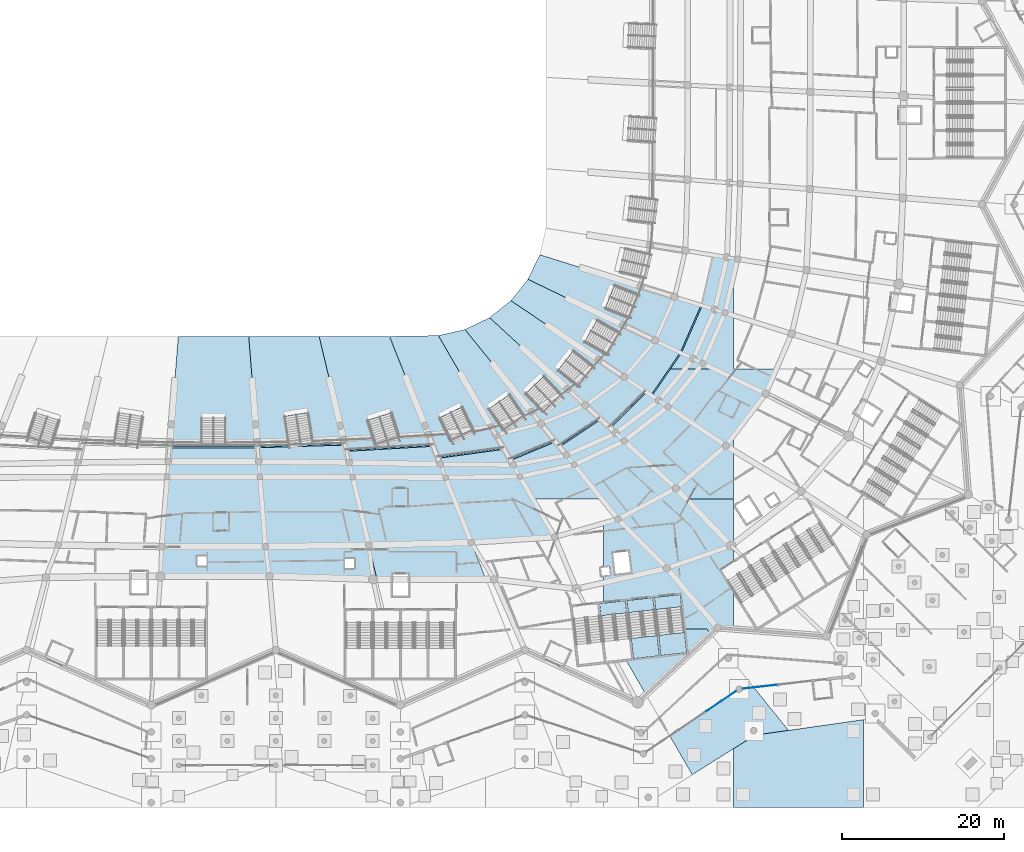
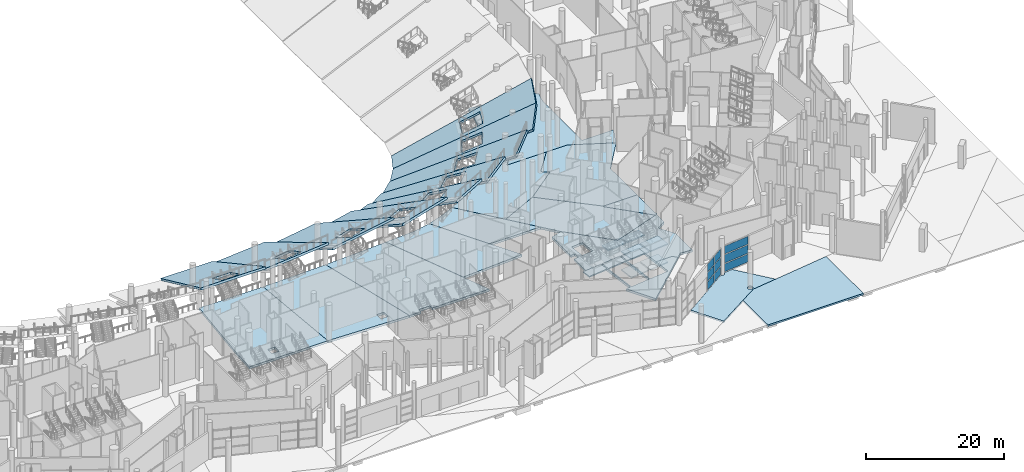
# One storey, part 79 of 255: 31 slabs, 9 plates, 5 elements without a shape of their own.
"""IFC4 building model written with IfcOpenShell, lengths in metres."""

from ifc_helpers import new_model, si_unit, direction, frame, origin, origin_2d, place, context, subcontext, project, spatial, polyline, rectangle, outline, extrude, material, layer, layer_set, type_object, element, aggregate, save


model = new_model("IFC4")

# Units and contexts
model_context = context("Model", 3, precision=1e-05, world=origin(), true_north=direction((0.0, 1.0)))
body_context = subcontext(model_context, "Body", "Model", "MODEL_VIEW")
ifc_project = project(units=[si_unit("LENGTHUNIT", "METRE"), si_unit("AREAUNIT", "SQUARE_METRE"), si_unit("VOLUMEUNIT", "CUBIC_METRE"), si_unit("PLANEANGLEUNIT", "RADIAN"), si_unit("MASSUNIT", "GRAM", prefix="KILO")], contexts=[model_context])

# Site, building, storey
site_placement = place(None, origin())
site = spatial("IfcSite", under=ifc_project, at=site_placement, CompositionType="ELEMENT")
building_placement = place(site_placement, origin())
building = spatial("IfcBuilding", under=site, at=building_placement, Name="Meseta Stadium", CompositionType="ELEMENT")
storey_placement = place(building_placement, origin())
storey = spatial("IfcBuildingStorey", under=building, at=storey_placement, Name="L00", CompositionType="ELEMENT", Elevation=0.0)

# Slabs
ifc_material_1 = material(Name="Concrete C40/50", Category="concrete")
ifc_layer_1 = layer(ifc_material_1, 0.39990234375)
ifc_layer_set_1 = layer_set([ifc_layer_1], Name="Floor slab 400")
slab_type_1 = type_object("IfcSlabType", Name="Floor slab 400", PredefinedType="FLOOR", material=ifc_layer_set_1)
slab_1_placement = place(storey_placement, frame((0.0, 0.0, -0.39990234375)))
element("IfcSlab", 1, at=slab_1_placement, inside=storey, type_object=slab_type_1, Name="Floor slab L00 sector 42 panel 10", PredefinedType="FLOOR", context=body_context, shape_type="SweptSolid", body=[
    extrude(outline(polyline([(-3.57568359375, -72.981689453125), (-5.36181640625, -72.959228515625), (-6.386962890625, -85.876708984375), (-6.51708984375, -89.54638671875), (6.676025390625, -89.518310546875), (5.36181640625, -72.959228515625), (3.57568359375, -72.981689453125), (1.7880859375, -72.99560546875), (0.0, -73.0), (-1.7880859375, -72.99560546875), (-3.57568359375, -72.981689453125)]), holes=[polyline([(-0.816650390625, -87.050048828125), (-0.816650390625, -88.25), (-2.0166015625, -88.25), (-2.0166015625, -87.050048828125), (-0.816650390625, -87.050048828125)])]), origin(), (0.0, 0.0, 1.0), 0.39990234375),
])
slab_2_placement = place(storey_placement, frame((0.0, 0.0, -0.39990234375)))
element("IfcSlab", 2, at=slab_2_placement, inside=storey, type_object=slab_type_1, Name="Floor slab L00 sector 42 panel 12", PredefinedType="FLOOR", context=body_context, shape_type="SweptSolid", body=[
    extrude(outline(polyline([(19.62744140625, -89.90380859375), (20.1201171875, -89.904052734375), (16.010986328125, -72.646484375), (14.247314453125, -72.71826171875), (12.478271484375, -72.78271484375), (10.70458984375, -72.83935546875), (8.927001953125, -72.8876953125), (7.145751953125, -72.927734375), (5.36181640625, -72.959228515625), (6.676025390625, -89.518310546875), (6.87060546875, -89.517822265625), (19.62744140625, -89.90380859375)]), holes=[polyline([(17.35009765625, -88.550048828125), (16.14990234375, -88.550048828125), (16.14990234375, -87.35009765625), (17.35009765625, -87.35009765625), (17.35009765625, -88.550048828125)])]), origin(), (0.0, 0.0, 1.0), 0.39990234375),
])
slab_3_placement = place(storey_placement, frame((0.0, 0.0, -0.39990234375)))
element("IfcSlab", 3, at=slab_3_placement, inside=storey, type_object=slab_type_1, Name="Floor slab L00 sector 42 panel 14", PredefinedType="FLOOR", context=body_context, shape_type="SweptSolid", body=[
    extrude(outline(polyline([(26.451171875, -72.083984375), (24.7373046875, -72.190673828125), (23.005615234375, -72.293212890625), (21.266845703125, -72.390625), (19.521240234375, -72.482177734375), (17.769287109375, -72.567626953125), (16.010986328125, -72.646484375), (20.1201171875, -89.904052734375), (22.050048828125, -89.905029296875), (22.050048828125, -89.300048828125), (23.949951171875, -89.300048828125), (23.949951171875, -89.906005859375), (33.525390625, -89.911376953125), (26.451171875, -72.083984375)])), origin(), (0.0, 0.0, 1.0), 0.39990234375),
])
slab_4_placement = place(storey_placement, frame((0.0, 0.0, -0.39990234375)))
element("IfcSlab", 4, at=slab_4_placement, inside=storey, type_object=slab_type_1, Name="Floor slab L00 sector 49 panel 01", PredefinedType="FLOOR", context=body_context, shape_type="SweptSolid", body=[
    extrude(outline(polyline([(26.47216796875, -72.082763671875), (31.747314453125, -85.376220703125), (42.015380859375, -84.707275390625), (34.185302734375, -71.16064453125), (33.32763671875, -71.380615234375), (32.4619140625, -71.572998046875), (31.589111328125, -71.7373046875), (29.8876953125, -71.856201171875), (28.178466796875, -71.9716796875), (26.47216796875, -72.082763671875)])), origin(), (0.0, 0.0, 1.0), 0.39990234375),
])
slab_5_placement = place(storey_placement, frame((0.0, 0.0, -0.39990234375)))
element("IfcSlab", 5, at=slab_5_placement, inside=storey, type_object=slab_type_1, Name="Floor slab L00 sector 49 panel 02", PredefinedType="FLOOR", context=body_context, shape_type="SweptSolid", body=[
    extrude(outline(polyline([(47.7744140625, -80.0), (39.11865234375, -69.274658203125), (38.325439453125, -69.654541015625), (37.519775390625, -70.0087890625), (36.701904296875, -70.3369140625), (35.873291015625, -70.638427734375), (35.033935546875, -70.9130859375), (34.185302734375, -71.16064453125), (39.29443359375, -80.0), (47.7744140625, -80.0)])), origin(), (0.0, 0.0, 1.0), 0.39990234375),
])
slab_6_placement = place(storey_placement, frame((0.0, 0.0, -0.39990234375)))
element("IfcSlab", 6, at=slab_6_placement, inside=storey, type_object=slab_type_1, Name="Floor slab L00 sector 49 panel 05", PredefinedType="FLOOR", context=body_context, shape_type="SweptSolid", body=[
    extrude(outline(polyline([(44.389892578125, -75.806396484375), (50.571533203125, -72.888916015625), (55.940185546875, -68.658203125), (54.819580078125, -67.901611328125), (58.032958984375, -64.0), (51.41650390625, -64.0), (54.3642578125, -60.513427734375), (50.41650390625, -58.61474609375), (49.969482421875, -59.365478515625), (49.49853515625, -60.101318359375), (49.003662109375, -60.8212890625), (48.485595703125, -61.52490234375), (48.0, -62.14111328125), (47.944580078125, -62.211669921875), (47.38134765625, -62.880126953125), (46.79638671875, -63.5302734375), (46.190673828125, -64.1611328125), (45.564453125, -64.77197265625), (44.918212890625, -65.3623046875), (44.253173828125, -65.931396484375), (43.5693359375, -66.478759765625), (42.867919921875, -67.00390625), (42.1494140625, -67.505859375), (41.414306640625, -67.984619140625), (40.663818359375, -68.439208984375), (39.898193359375, -68.869384765625), (39.11865234375, -69.274658203125), (44.389892578125, -75.806396484375)])), origin(), (0.0, 0.0, 1.0), 0.39990234375),
])
slab_7_placement = place(storey_placement, frame((0.0, 0.0, -0.39990234375)))
element("IfcSlab", 7, at=slab_7_placement, inside=storey, type_object=slab_type_1, Name="Floor slab L00 sector 49 panel 06", PredefinedType="FLOOR", context=body_context, shape_type="SweptSolid", body=[
    extrude(outline(polyline([(44.389892578125, -75.806396484375), (49.791015625, -82.498779296875), (55.799560546875, -88.541748046875), (63.731201171875, -85.77099609375), (58.171630859375, -80.0), (58.33984375, -80.0), (50.571533203125, -72.888916015625), (44.389892578125, -75.806396484375)])), origin(), (0.0, 0.0, 1.0), 0.39990234375),
])
slab_8_placement = place(storey_placement, frame((0.0, 0.0, -0.39990234375)))
element("IfcSlab", 8, at=slab_8_placement, inside=storey, type_object=slab_type_1, Name="Floor slab L00 sector 49 panel 07", PredefinedType="FLOOR", context=body_context, shape_type="SweptSolid", body=[
    extrude(outline(polyline([(50.72998046875, -99.783447265625), (53.224609375, -104.099365234375), (61.21435546875, -96.653076171875), (60.687255859375, -96.0), (57.92529296875, -96.0), (58.256103515625, -98.935302734375), (55.076171875, -99.293701171875), (54.705078125, -96.0), (54.50390625, -96.0), (54.87744140625, -99.316162109375), (51.697509765625, -99.67431640625), (51.28369140625, -96.0), (51.082275390625, -96.0), (51.498779296875, -99.69677734375), (50.72998046875, -99.783447265625)])), origin(), (0.0, 0.0, 1.0), 0.39990234375),
])
slab_9_placement = place(storey_placement, frame((0.0, 0.0, -0.39990234375)))
element("IfcSlab", 9, at=slab_9_placement, inside=storey, type_object=slab_type_1, Name="Floor slab L00 sector 49 panel 08", PredefinedType="FLOOR", context=body_context, shape_type="SweptSolid", body=[
    extrude(outline(polyline([(62.051513671875, -95.872802734375), (64.0, -96.023193359375), (64.0, -91.239990234375), (62.45947265625, -88.788330078125), (64.0, -87.8203125), (64.0, -85.5615234375), (64.224365234375, -85.386962890625), (64.0, -85.181396484375), (64.0, -80.0), (58.171630859375, -80.0), (63.731201171875, -85.77099609375), (55.799560546875, -88.541748046875), (49.791015625, -82.498779296875), (48.0, -83.007568359375), (48.0, -88.452880859375), (48.71337890625, -88.37255859375), (48.825439453125, -89.3662109375), (48.0, -89.459228515625), (48.0, -92.845458984375), (50.692626953125, -92.5419921875), (51.082275390625, -96.0), (51.28369140625, -96.0), (50.8916015625, -92.519775390625), (54.0712890625, -92.161376953125), (54.50390625, -96.0), (54.705078125, -96.0), (54.27001953125, -92.138916015625), (57.449951171875, -91.78076171875), (57.92529296875, -96.0), (60.687255859375, -96.0), (61.21435546875, -96.653076171875), (62.051513671875, -95.872802734375)]), holes=[polyline([(51.353759765625, -89.031005859375), (49.4658203125, -89.24365234375), (49.174560546875, -86.66015625), (51.0625, -86.447265625), (51.353759765625, -89.031005859375)])]), origin(), (0.0, 0.0, 1.0), 0.39990234375),
])
slab_10_placement = place(storey_placement, frame((0.0, 0.0, -0.39990234375)))
element("IfcSlab", 10, at=slab_10_placement, inside=storey, type_object=slab_type_1, Name="Floor slab L00 sector 49 panel 09", PredefinedType="FLOOR", context=body_context, shape_type="SweptSolid", body=[
    extrude(outline(polyline([(50.41650390625, -58.61474609375), (54.3642578125, -60.513427734375), (51.41650390625, -64.0), (61.6142578125, -64.0), (67.972412109375, -67.057861328125), (69.297119140625, -64.0), (64.0, -64.0), (64.0, -52.640380859375), (64.499267578125, -50.489501953125), (53.73876953125, -48.75634765625), (53.61376953125, -49.610595703125), (53.458984375, -50.469970703125), (53.2763671875, -51.32373046875), (53.06591796875, -52.17138671875), (52.827880859375, -53.011474609375), (52.562744140625, -53.843505859375), (52.270751953125, -54.666259765625), (51.951904296875, -55.479248046875), (51.6064453125, -56.281494140625), (51.2353515625, -57.072021484375), (50.83837890625, -57.85009765625), (50.41650390625, -58.61474609375)])), origin(), (0.0, 0.0, 1.0), 0.39990234375),
])
slab_11_placement = place(storey_placement, frame((0.0, 0.0, -0.39990234375)))
element("IfcSlab", 11, at=slab_11_placement, inside=storey, type_object=slab_type_1, Name="Floor slab L00 sector 49 panel 10", PredefinedType="FLOOR", context=body_context, shape_type="SweptSolid", body=[
    extrude(outline(polyline([(58.33984375, -80.0), (64.0, -80.0), (64.0, -72.251708984375), (67.972412109375, -67.057861328125), (61.614013671875, -64.0), (58.032958984375, -64.0), (54.819580078125, -67.901611328125), (55.940185546875, -68.658203125), (50.571533203125, -72.888916015625), (58.33984375, -80.0)])), origin(), (0.0, 0.0, 1.0), 0.39990234375),
])
ifc_material_2 = material(Name="Concrete C40/50", Category="concrete")
ifc_layer_2 = layer(ifc_material_2, 0.300048828125)
ifc_layer_set_2 = layer_set([ifc_layer_2], Name="Gate court paving 300")
slab_type_2 = type_object("IfcSlabType", Name="Gate court paving 300", PredefinedType="FLOOR", material=ifc_layer_set_2)
slab_12_placement = place(storey_placement, frame((0.0, 0.0, -0.300048828125)))
element("IfcSlab", 12, at=slab_12_placement, inside=storey, type_object=slab_type_2, Name="Gate 8 court paving panel 03", PredefinedType="FLOOR", context=body_context, shape_type="SweptSolid", body=[
    extrude(outline(polyline([(64.0, -118.0), (80.0, -118.0), (80.0, -107.18408203125), (66.675048828125, -109.086181640625), (64.0, -110.771728515625), (64.0, -118.0)])), origin(), (0.0, 0.0, 1.0), 0.300048828125),
])
ifc_material_3 = material(Name="Concrete C40/50", Category="concrete")
ifc_layer_3 = layer(ifc_material_3, 0.300048828125)
ifc_layer_set_3 = layer_set([ifc_layer_3], Name="Passage paving slab 300")
slab_type_3 = type_object("IfcSlabType", Name="Passage paving slab 300", PredefinedType="FLOOR", material=ifc_layer_set_3)
slab_13_placement = place(storey_placement, frame((0.0, 0.0, -0.300048828125)))
element("IfcSlab", 13, at=slab_13_placement, inside=storey, type_object=slab_type_3, Name="Covered passage paving 7 part 2 panel 02", PredefinedType="FLOOR", context=body_context, shape_type="SweptSolid", body=[
    extrude(outline(polyline([(56.162109375, -109.18115234375), (58.922607421875, -113.95703125), (63.99365234375, -110.76171875), (63.99462890625, -110.760986328125), (63.99560546875, -110.760498046875), (63.996826171875, -110.76025390625), (63.997802734375, -110.760009765625), (63.9990234375, -110.759765625), (64.000244140625, -110.759765625), (64.00146484375, -110.760009765625), (64.00244140625, -110.760009765625), (64.003662109375, -110.760498046875), (64.0048828125, -110.7607421875), (64.005859375, -110.76123046875), (64.0068359375, -110.761962890625), (64.0078125, -110.7626953125), (64.008544921875, -110.763427734375), (64.00927734375, -110.764404296875), (64.010009765625, -110.76513671875), (64.010009765625, -110.765380859375), (66.675048828125, -109.086181640625), (70.77587890625, -108.500732421875), (66.512451171875, -103.218017578125), (65.09130859375, -103.37890625), (65.09716796875, -103.423828125), (65.08349609375, -103.5283203125), (65.043212890625, -103.62548828125), (64.97900390625, -103.708984375), (64.8955078125, -103.773193359375), (64.798095703125, -103.8134765625), (64.69384765625, -103.8271484375), (64.58935546875, -103.8134765625), (64.4921875, -103.773193359375), (64.408447265625, -103.708984375), (64.361572265625, -103.64794921875), (56.162109375, -109.18115234375)]), holes=[polyline([(66.7626953125, -108.805908203125), (66.678955078125, -108.8701171875), (66.581787109375, -108.910400390625), (66.477294921875, -108.92431640625), (66.372802734375, -108.910400390625), (66.275634765625, -108.8701171875), (66.19189453125, -108.805908203125), (66.1279296875, -108.722412109375), (66.087646484375, -108.625244140625), (66.073974609375, -108.520751953125), (66.087646484375, -108.416259765625), (66.1279296875, -108.319091796875), (66.19189453125, -108.235595703125), (66.275634765625, -108.17138671875), (66.372802734375, -108.131103515625), (66.477294921875, -108.1171875), (66.581787109375, -108.131103515625), (66.678955078125, -108.17138671875), (66.7626953125, -108.235595703125), (66.82666015625, -108.319091796875), (66.866943359375, -108.416259765625), (66.880859375, -108.520751953125), (66.866943359375, -108.625244140625), (66.82666015625, -108.722412109375), (66.7626953125, -108.805908203125)])]), origin(), (0.0, 0.0, 1.0), 0.300048828125),
])

# Curtain wall, plates
ifc_material_4 = material(Name="Aluminium", Category="aluminium")
ifc_layer_4 = layer(ifc_material_4, 0.199951171875)
ifc_layer_set_4 = layer_set([ifc_layer_4], Name="Ring shopfront curtain wall")
curtain_wall_type = type_object("IfcCurtainWallType", Name="Ring shopfront curtain wall", PredefinedType="NOTDEFINED", material=ifc_layer_set_4)
curtain_wall_1_placement = place(storey_placement, origin())
curtain_wall_1 = element("IfcCurtainWall", 14, at=curtain_wall_1_placement, inside=storey, type_object=curtain_wall_type, Name="Shopfront glazing F50b", PredefinedType="NOTDEFINED")
ifc_material_5 = material(Name="Glass", Category="glass")
ifc_layer_5 = layer(ifc_material_5, 0.035888671875)
ifc_layer_set_5 = layer_set([ifc_layer_5], Name="Ring CW glass panel 36")
plate_type = type_object("IfcPlateType", Name="Ring CW glass panel 36", PredefinedType="CURTAIN_PANEL", material=ifc_layer_set_5)
plate_1_placement = place(storey_placement, frame((61.573974609375, -105.529052734375, 0.150146484375), z_axis=(0.0, 0.0, 1.0), x_axis=(0.828908886305, 0.559383641345, 0.0)))
plate_1 = element("IfcPlate", 15, at=plate_1_placement, type_object=plate_type, Name="CWR1 panel 1.1", PredefinedType="CURTAIN_PANEL", context=body_context, shape_type="SweptSolid", body=[
    extrude(rectangle(XDim=2.16259765625, YDim=0.035888671875, at=origin_2d()), origin(), (0.0, 0.0, 1.0), 1.3916015625),
])
plate_2_placement = place(storey_placement, frame((61.573974609375, -105.529052734375, 1.69189453125), z_axis=(0.0, 0.0, 1.0), x_axis=(0.828908886305, 0.559383641345, 0.0)))
plate_2 = element("IfcPlate", 16, at=plate_2_placement, type_object=plate_type, Name="CWR1 panel 1.2", PredefinedType="CURTAIN_PANEL", context=body_context, shape_type="SweptSolid", body=[
    extrude(rectangle(XDim=2.16259765625, YDim=0.035888671875, at=origin_2d()), origin(), (0.0, 0.0, 1.0), 1.466552734375),
])
plate_3_placement = place(storey_placement, frame((61.573974609375, -105.529052734375, 3.308349609375), z_axis=(0.0, 0.0, 1.0), x_axis=(0.828908886305, 0.559383641345, 0.0)))
plate_3 = element("IfcPlate", 17, at=plate_3_placement, type_object=plate_type, Name="CWR1 panel 1.3", PredefinedType="CURTAIN_PANEL", context=body_context, shape_type="SweptSolid", body=[
    extrude(rectangle(XDim=2.16259765625, YDim=0.035888671875, at=origin_2d()), origin(), (0.0, 0.0, 1.0), 1.3916015625),
])
plate_4_placement = place(storey_placement, frame((63.416259765625, -104.285888671875, 0.150146484375), z_axis=(0.0, 0.0, 1.0), x_axis=(0.828908886305, 0.559383641345, 0.0)))
plate_4 = element("IfcPlate", 18, at=plate_4_placement, type_object=plate_type, Name="CWR1 panel 2.1", PredefinedType="CURTAIN_PANEL", context=body_context, shape_type="SweptSolid", body=[
    extrude(rectangle(XDim=2.16259765625, YDim=0.035888671875, at=origin_2d()), origin(), (0.0, 0.0, 1.0), 1.3916015625),
])
plate_5_placement = place(storey_placement, frame((63.416259765625, -104.285888671875, 1.69189453125), z_axis=(0.0, 0.0, 1.0), x_axis=(0.828908886305, 0.559383641345, 0.0)))
plate_5 = element("IfcPlate", 19, at=plate_5_placement, type_object=plate_type, Name="CWR1 panel 2.2", PredefinedType="CURTAIN_PANEL", context=body_context, shape_type="SweptSolid", body=[
    extrude(rectangle(XDim=2.16259765625, YDim=0.035888671875, at=origin_2d()), origin(), (0.0, 0.0, 1.0), 1.466552734375),
])
plate_6_placement = place(storey_placement, frame((63.416259765625, -104.285888671875, 3.308349609375), z_axis=(0.0, 0.0, 1.0), x_axis=(0.828908886305, 0.559383641345, 0.0)))
plate_6 = element("IfcPlate", 20, at=plate_6_placement, type_object=plate_type, Name="CWR1 panel 2.3", PredefinedType="CURTAIN_PANEL", context=body_context, shape_type="SweptSolid", body=[
    extrude(rectangle(XDim=2.16259765625, YDim=0.035888671875, at=origin_2d()), origin(), (0.0, 0.0, 1.0), 1.3916015625),
])
aggregate(curtain_wall_1, [plate_1, plate_2, plate_3, plate_4, plate_5, plate_6])

curtain_wall_2_placement = place(storey_placement, origin())
curtain_wall_2 = element("IfcCurtainWall", 21, at=curtain_wall_2_placement, inside=storey, type_object=curtain_wall_type, Name="Shopfront glazing F51a", PredefinedType="NOTDEFINED")
plate_7_placement = place(storey_placement, frame((67.271240234375, -103.132080078125, 0.150146484375), z_axis=(0.0, 0.0, 1.0), x_axis=(0.993654842707, 0.112472456913, 0.0)))
plate_7 = element("IfcPlate", 22, at=plate_7_placement, type_object=plate_type, Name="CWR1 panel 1.1", PredefinedType="CURTAIN_PANEL", context=body_context, shape_type="SweptSolid", body=[
    extrude(rectangle(XDim=4.267822265625, YDim=0.035888671875, at=origin_2d()), origin(), (0.0, 0.0, 1.0), 1.3916015625),
])
plate_8_placement = place(storey_placement, frame((67.271240234375, -103.132080078125, 1.69189453125), z_axis=(0.0, 0.0, 1.0), x_axis=(0.993654842707, 0.112472456913, 0.0)))
plate_8 = element("IfcPlate", 23, at=plate_8_placement, type_object=plate_type, Name="CWR1 panel 1.2", PredefinedType="CURTAIN_PANEL", context=body_context, shape_type="SweptSolid", body=[
    extrude(rectangle(XDim=4.267822265625, YDim=0.035888671875, at=origin_2d()), origin(), (0.0, 0.0, 1.0), 1.466552734375),
])
plate_9_placement = place(storey_placement, frame((67.271240234375, -103.132080078125, 3.308349609375), z_axis=(0.0, 0.0, 1.0), x_axis=(0.993654842707, 0.112472456913, 0.0)))
plate_9 = element("IfcPlate", 24, at=plate_9_placement, type_object=plate_type, Name="CWR1 panel 1.3", PredefinedType="CURTAIN_PANEL", context=body_context, shape_type="SweptSolid", body=[
    extrude(rectangle(XDim=4.267822265625, YDim=0.035888671875, at=origin_2d()), origin(), (0.0, 0.0, 1.0), 1.3916015625),
])
aggregate(curtain_wall_2, [plate_7, plate_8, plate_9])

# Slabs
ifc_material_6 = material(Name="Concrete C40/50", Category="concrete")
ifc_layer_6 = layer(ifc_material_6, 0.35009765625)
ifc_layer_set_6 = layer_set([ifc_layer_6], Name="Seating tier 350")
slab_type_4 = type_object("IfcSlabType", Name="Seating tier 350", PredefinedType="USERDEFINED", material=ifc_layer_set_6)
slab_14_placement = place(storey_placement, frame((-4.333251953125, -60.0, -3.0), z_axis=(0.0, 0.45432850165, 0.890834222843), x_axis=(-0.070521545079, -0.888616274063, 0.453197340184)))
element("IfcSlab", 25, at=slab_14_placement, inside=storey, type_object=slab_type_4, Name="Stand lower tier bay 47", ObjectType="SEATING TIER", PredefinedType="USERDEFINED", context=body_context, shape_type="SweptSolid", body=[
    extrude(outline(polyline([(0.0, 0.0), (15.256723787967093, -2.7755575615628914e-16), (14.493796369619353, 10.791424434289649), (-0.6111752459042263, 8.644926533860218), (0.0, 0.0)]), holes=[polyline([(11.07421875, 3.623291015625), (14.433349609375, 3.86083984375), (14.221923828125, 6.853271484375), (10.86279296875, 6.61572265625), (11.07421875, 3.623291015625)])]), origin(), (0.0, 0.0, -1.0), 0.35009765625),
])
slab_15_placement = place(storey_placement, frame((4.333251953125, -60.0, -3.346435546875), z_axis=(-0.071216565093, 0.448708363617, 0.890836127061), x_axis=(0.070520608907, -0.888603931453, 0.453221686072)))
element("IfcSlab", 26, at=slab_15_placement, inside=storey, type_object=slab_type_4, Name="Stand lower tier bay 48", ObjectType="SEATING TIER", PredefinedType="USERDEFINED", context=body_context, shape_type="SweptSolid", body=[
    extrude(outline(polyline([(0.0, 0.0), (15.256945081928205, -1.1102230246251565e-16), (16.038148800663137, 10.739706448419065), (0.9252085548518354, 8.645032168259982), (0.0, 0.0)]), holes=[polyline([(11.509033203125, 3.580810546875), (14.86865234375, 3.8154296875), (14.65966796875, 6.808349609375), (11.30029296875, 6.573486328125), (11.509033203125, 3.580810546875)])]), origin(), (0.0, 0.0, -1.0), 0.35009765625),
])
slab_16_placement = place(storey_placement, frame((13.0, -60.0, -3.668701171875), z_axis=(-0.137459001518, 0.433033482102, 0.890835016308), x_axis=(0.206445211616, -0.86709572099, 0.453349076586)))
element("IfcSlab", 27, at=slab_16_placement, inside=storey, type_object=slab_type_4, Name="Stand lower tier bay 49", ObjectType="SEATING TIER", PredefinedType="USERDEFINED", context=body_context, shape_type="SweptSolid", body=[
    extrude(outline(polyline([(0.0, 0.0), (16.155502590927636, 1.1102230246251565e-16), (18.41677533676479, 10.493847375066798), (2.3927881983788186, 8.426055499945535), (0.0, 0.0)]), holes=[polyline([(12.916259765625, 3.468017578125), (16.276611328125, 3.68896484375), (16.079833984375, 6.682373046875), (12.719482421875, 6.46142578125), (12.916259765625, 3.468017578125)])]), origin(), (0.0, 0.0, -1.0), 0.35009765625),
])
slab_17_placement = place(storey_placement, frame((21.6767578125, -59.999755859375, -3.647705078125), z_axis=(-0.198989699376, 0.408426764204, 0.890837065812), x_axis=(0.328785946877, -0.828508050737, 0.453292632856)))
element("IfcSlab", 28, at=slab_17_placement, inside=storey, type_object=slab_type_4, Name="Stand lower tier bay 50", ObjectType="SEATING TIER", PredefinedType="USERDEFINED", context=body_context, shape_type="SweptSolid", body=[
    extrude(outline(polyline([(0.0, 0.0), (17.94888788482146, 6.661338147750939e-16), (20.282915573683724, 7.951698387193904), (2.483919633776646, 5.617383459537127), (0.0, 0.0)]), holes=[polyline([(13.071044921875, 2.072998046875), (16.430908203125, 2.2998046875), (16.22900390625, 5.29296875), (12.869140625, 5.06640625), (13.071044921875, 2.072998046875)])]), origin(), (0.0, 0.0, -1.0), 0.35009765625),
])
slab_18_placement = place(storey_placement, frame((27.679443359375, -59.90576171875, -3.3173828125), z_axis=(-0.258024506389, 0.373946920272, 0.890835032383), x_axis=(0.446107787374, -0.771763594309, 0.453176341554)))
element("IfcSlab", 29, at=slab_18_placement, inside=storey, type_object=slab_type_4, Name="Stand lower tier bay 51", ObjectType="SEATING TIER", PredefinedType="USERDEFINED", context=body_context, shape_type="SweptSolid", body=[
    extrude(outline(polyline([(0.0, 0.0), (19.743840722236822, -7.771561172376096e-16), (20.728957299522616, 5.9287123564116415), (1.1715727818159132, 3.211319792250833), (0.0, 0.0)]), holes=[polyline([(12.30419921875, 0.912353515625), (15.6630859375, 1.151611328125), (15.449951171875, 4.144287109375), (12.0908203125, 3.904541015625), (12.30419921875, 0.912353515625)])]), origin(), (0.0, 0.0, -1.0), 0.35009765625),
])
slab_19_placement = place(storey_placement, frame((30.9541015625, -59.158203125, -3.259033203125), z_axis=(-0.311697554638, 0.330546737471, 0.890833030809), x_axis=(0.559818376121, -0.693655612023, 0.453260717101)))
element("IfcSlab", 30, at=slab_19_placement, inside=storey, type_object=slab_type_4, Name="Stand lower tier bay 52", ObjectType="SEATING TIER", PredefinedType="USERDEFINED", context=body_context, shape_type="SweptSolid", body=[
    extrude(outline(polyline([(0.0, 0.0), (20.642187902320696, 1.1102230246251565e-16), (21.3760980469793, 6.032725380747346), (0.9181878622854993, 3.27228876444817), (0.0, 0.0)]), holes=[polyline([(12.17724609375, 0.919677734375), (15.537109375, 1.15087890625), (15.331298828125, 4.143798828125), (11.971435546875, 3.91259765625), (12.17724609375, 0.919677734375)])]), origin(), (0.0, 0.0, -1.0), 0.35009765625),
])
slab_20_placement = place(storey_placement, frame((33.98046875, -57.700927734375, -3.1962890625), z_axis=(-0.357150967709, 0.280812233792, 0.890835380762), x_axis=(0.657472808041, -0.601861301976, 0.453312783705)))
element("IfcSlab", 31, at=slab_20_placement, inside=storey, type_object=slab_type_4, Name="Stand lower tier bay 53", ObjectType="SEATING TIER", PredefinedType="USERDEFINED", context=body_context, shape_type="SweptSolid", body=[
    extrude(outline(polyline([(0.0, 0.0), (22.437649991531902, -1.6653345369377348e-16), (22.889375836076294, 6.26040014444105), (0.6441884042838784, 3.3199409667290283), (0.0, 0.0)]), holes=[polyline([(11.92822265625, 0.92041015625), (15.2880859375, 1.1455078125), (15.087890625, 4.138916015625), (11.727783203125, 3.91357421875), (11.92822265625, 0.92041015625)])]), origin(), (0.0, 0.0, -1.0), 0.35009765625),
])
slab_21_placement = place(storey_placement, frame((36.606689453125, -55.606689453125, -3.130615234375), z_axis=(-0.394242900943, 0.225801935585, 0.89083445204), x_axis=(0.738759481289, -0.498706713494, 0.453349801721)))
element("IfcSlab", 32, at=slab_21_placement, inside=storey, type_object=slab_type_4, Name="Stand lower tier bay 54", ObjectType="SEATING TIER", PredefinedType="USERDEFINED", context=body_context, shape_type="SweptSolid", body=[
    extrude(outline(polyline([(0.0, 0.0), (23.335786579375792, 6.106226635438361e-16), (23.496291093254424, 6.36808869380886), (0.35585327179697224, 3.3502953542174336), (0.0, 0.0)]), holes=[polyline([(11.671630859375, 0.918212890625), (15.0322265625, 1.138916015625), (14.835693359375, 4.132568359375), (11.47509765625, 3.911865234375), (11.671630859375, 0.918212890625)])]), origin(), (0.0, 0.0, -1.0), 0.35009765625),
])
slab_22_placement = place(storey_placement, frame((38.700927734375, -52.98046875, -3.0625), z_axis=(-0.422641018675, 0.166701135979, 0.890834047731), x_axis=(0.80325328581, -0.386305288465, 0.453378851448)))
element("IfcSlab", 33, at=slab_22_placement, inside=storey, type_object=slab_type_4, Name="Stand lower tier bay 55", ObjectType="SEATING TIER", PredefinedType="USERDEFINED", context=body_context, shape_type="SweptSolid", body=[
    extrude(outline(polyline([(0.0, 0.0), (23.33616521339937, -2.609024107869118e-15), (23.201686008201765, 6.356388898874208), (0.058131952911670726, 3.3607730645079053), (0.0, 0.0)]), holes=[polyline([(11.410888671875, 0.910888671875), (14.771240234375, 1.128662109375), (14.5771484375, 4.122314453125), (11.216796875, 3.904541015625), (11.410888671875, 0.910888671875)])]), origin(), (0.0, 0.0, -1.0), 0.35009765625),
])

# Stair, slab
ifc_material_7 = material(Name="Concrete C40/50", Category="concrete")
stair_type = type_object("IfcStairType", Name="Exit stair 4 flights 148 mm risers", PredefinedType="HALF_TURN_STAIR", material=ifc_material_7)
stair_1_placement = place(storey_placement, origin())
stair_1 = element("IfcStair", 34, at=stair_1_placement, inside=storey, type_object=stair_type, Name="ST102 L00", PredefinedType="HALF_TURN_STAIR")
ifc_material_8 = material(Name="Concrete C40/50", Category="concrete")
ifc_layer_7 = layer(ifc_material_8, 0.199951171875)
ifc_layer_set_7 = layer_set([ifc_layer_7], Name="Stair landing 200")
slab_type_5 = type_object("IfcSlabType", Name="Stair landing 200", PredefinedType="LANDING", material=ifc_layer_set_7)
slab_23_placement = place(storey_placement, frame((0.0, 0.0, -0.199951171875)))
slab_23 = element("IfcSlab", 35, at=slab_23_placement, type_object=slab_type_5, Name="ST102 L00 landing 4", PredefinedType="LANDING", context=body_context, shape_type="SweptSolid", body=[
    extrude(outline(polyline([(47.512939453125, -92.900390625), (47.681884765625, -94.40087890625), (50.86181640625, -94.04248046875), (50.692626953125, -92.5419921875), (47.512939453125, -92.900390625)])), origin(), (0.0, 0.0, 1.0), 0.199951171875),
])
aggregate(stair_1, [slab_23])

# Stair, slabs
stair_2_placement = place(storey_placement, origin())
stair_2 = element("IfcStair", 36, at=stair_2_placement, inside=storey, type_object=stair_type, Name="ST103 L00", PredefinedType="HALF_TURN_STAIR")
slab_24_placement = place(storey_placement, frame((0.0, 0.0, 1.425048828125)))
slab_24 = element("IfcSlab", 37, at=slab_24_placement, type_object=slab_type_5, Name="ST103 L00 landing 1", PredefinedType="LANDING", context=body_context, shape_type="SweptSolid", body=[
    extrude(outline(polyline([(51.41650390625, -97.18017578125), (51.697509765625, -99.67431640625), (54.87744140625, -99.316162109375), (54.596435546875, -96.822021484375), (51.41650390625, -97.18017578125)])), origin(), (0.0, 0.0, 1.0), 0.199951171875),
])
slab_25_placement = place(storey_placement, frame((0.0, 0.0, 3.050048828125)))
slab_25 = element("IfcSlab", 38, at=slab_25_placement, type_object=slab_type_5, Name="ST103 L00 landing 2", PredefinedType="LANDING", context=body_context, shape_type="SweptSolid", body=[
    extrude(outline(polyline([(50.891357421875, -92.519775390625), (51.060546875, -94.020263671875), (54.240478515625, -93.661865234375), (54.0712890625, -92.161376953125), (50.891357421875, -92.519775390625)])), origin(), (0.0, 0.0, 1.0), 0.199951171875),
])
slab_26_placement = place(storey_placement, frame((0.0, 0.0, 4.675048828125)))
slab_26 = element("IfcSlab", 39, at=slab_26_placement, type_object=slab_type_5, Name="ST103 L00 landing 3", PredefinedType="LANDING", context=body_context, shape_type="SweptSolid", body=[
    extrude(outline(polyline([(51.41650390625, -97.18017578125), (51.697509765625, -99.67431640625), (54.87744140625, -99.316162109375), (54.596435546875, -96.822021484375), (51.41650390625, -97.18017578125)])), origin(), (0.0, 0.0, 1.0), 0.199951171875),
])
slab_27_placement = place(storey_placement, frame((0.0, 0.0, -0.199951171875)))
slab_27 = element("IfcSlab", 40, at=slab_27_placement, type_object=slab_type_5, Name="ST103 L00 landing 4", PredefinedType="LANDING", context=body_context, shape_type="SweptSolid", body=[
    extrude(outline(polyline([(50.891357421875, -92.519775390625), (51.060546875, -94.020263671875), (54.240478515625, -93.661865234375), (54.0712890625, -92.161376953125), (50.891357421875, -92.519775390625)])), origin(), (0.0, 0.0, 1.0), 0.199951171875),
])
aggregate(stair_2, [slab_24, slab_25, slab_26, slab_27])

stair_3_placement = place(storey_placement, origin())
stair_3 = element("IfcStair", 41, at=stair_3_placement, inside=storey, type_object=stair_type, Name="ST104 L00", PredefinedType="HALF_TURN_STAIR")
slab_28_placement = place(storey_placement, frame((0.0, 0.0, 1.425048828125)))
slab_28 = element("IfcSlab", 42, at=slab_28_placement, type_object=slab_type_5, Name="ST104 L00 landing 1", PredefinedType="LANDING", context=body_context, shape_type="SweptSolid", body=[
    extrude(outline(polyline([(54.795166015625, -96.799560546875), (55.076171875, -99.293701171875), (58.256103515625, -98.935546875), (57.97509765625, -96.441162109375), (54.795166015625, -96.799560546875)])), origin(), (0.0, 0.0, 1.0), 0.199951171875),
])
slab_29_placement = place(storey_placement, frame((0.0, 0.0, 3.050048828125)))
slab_29 = element("IfcSlab", 43, at=slab_29_placement, type_object=slab_type_5, Name="ST104 L00 landing 2", PredefinedType="LANDING", context=body_context, shape_type="SweptSolid", body=[
    extrude(outline(polyline([(54.27001953125, -92.138916015625), (54.439208984375, -93.639404296875), (57.618896484375, -93.28125), (57.449951171875, -91.78076171875), (54.27001953125, -92.138916015625)])), origin(), (0.0, 0.0, 1.0), 0.199951171875),
])
slab_30_placement = place(storey_placement, frame((0.0, 0.0, 4.675048828125)))
slab_30 = element("IfcSlab", 44, at=slab_30_placement, type_object=slab_type_5, Name="ST104 L00 landing 3", PredefinedType="LANDING", context=body_context, shape_type="SweptSolid", body=[
    extrude(outline(polyline([(54.795166015625, -96.799560546875), (55.076171875, -99.293701171875), (58.256103515625, -98.935546875), (57.97509765625, -96.441162109375), (54.795166015625, -96.799560546875)])), origin(), (0.0, 0.0, 1.0), 0.199951171875),
])
slab_31_placement = place(storey_placement, frame((0.0, 0.0, -0.199951171875)))
slab_31 = element("IfcSlab", 45, at=slab_31_placement, type_object=slab_type_5, Name="ST104 L00 landing 4", PredefinedType="LANDING", context=body_context, shape_type="SweptSolid", body=[
    extrude(outline(polyline([(54.27001953125, -92.138916015625), (54.439208984375, -93.639404296875), (57.618896484375, -93.28125), (57.449951171875, -91.78076171875), (54.27001953125, -92.138916015625)])), origin(), (0.0, 0.0, 1.0), 0.199951171875),
])
aggregate(stair_3, [slab_28, slab_29, slab_30, slab_31])

save(model, "model.ifc")
